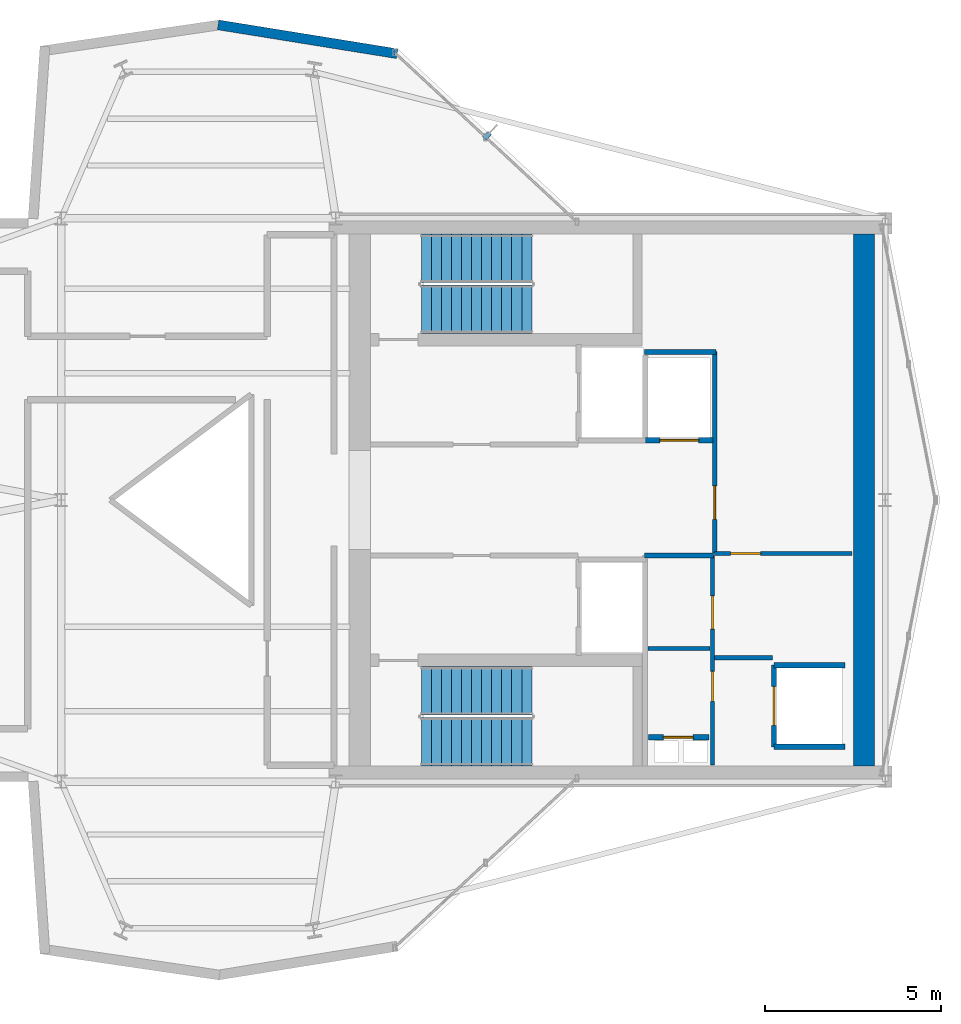
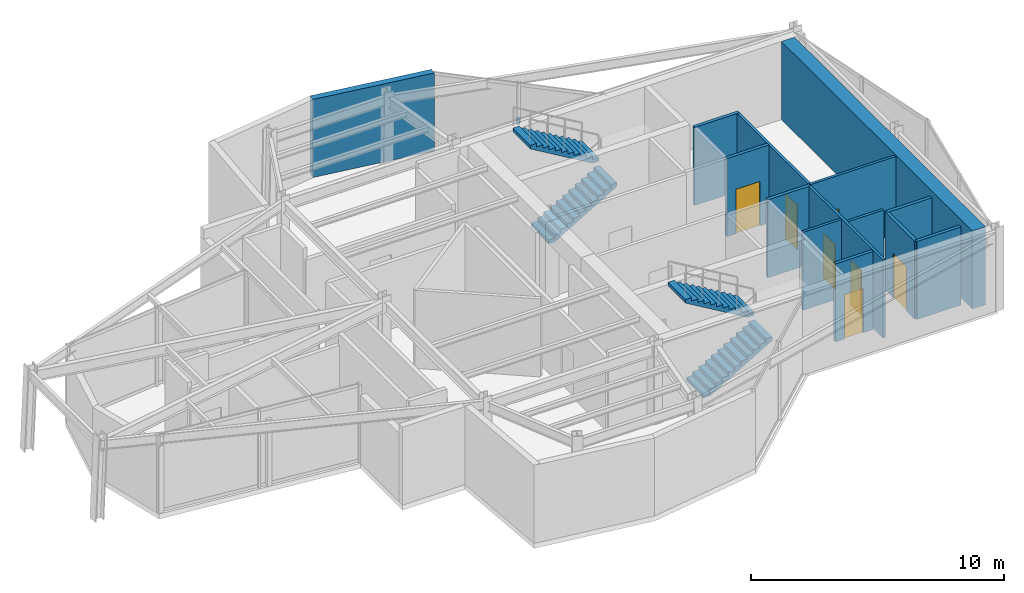
# One storey, part 10 of 11: 14 walls, 7 doors, 4 stair flights, 1 discrete accessory, 7 openings, 2 elements without a shape of their own.
"""IFC4 building model written with IfcOpenShell, lengths in metres."""

from ifc_helpers import new_model, si_unit, direction, frame, frame_2d, origin, origin_2d, place, context, subcontext, project, spatial, polyline, rectangle, outline, extrude, material, layer, layer_set, type_object, element, fill, aggregate, save


model = new_model("IFC4")

# Units and contexts
model_context = context("Model", 3, precision=1e-05, world=origin(), true_north=direction((0.0, 1.0)))
body_context = subcontext(model_context, "Body", "Model", "MODEL_VIEW")
ifc_project = project(units=[si_unit("LENGTHUNIT", "METRE"), si_unit("AREAUNIT", "SQUARE_METRE"), si_unit("VOLUMEUNIT", "CUBIC_METRE"), si_unit("PLANEANGLEUNIT", "RADIAN"), si_unit("MASSUNIT", "GRAM", prefix="KILO")], contexts=[model_context])

# Site, building, storey
site_placement = place(None, origin())
site = spatial("IfcSite", under=ifc_project, at=site_placement, CompositionType="ELEMENT")
building_placement = place(site_placement, origin())
building = spatial("IfcBuilding", under=site, at=building_placement, Name="Veymaron Broadcast Tower", CompositionType="ELEMENT")
storey_placement = place(building_placement, frame((0.0, 0.0, 323.550048828125)))
storey = spatial("IfcBuildingStorey", under=building, at=storey_placement, Name="L76", CompositionType="ELEMENT", Elevation=323.550048828125)

# Wall
ifc_material_1 = material(Name="Precast concrete C40/50", Category="concrete")
ifc_layer_1 = layer(ifc_material_1, 0.280029296875)
ifc_layer_set_1 = layer_set([ifc_layer_1], Name="Precast concrete C40/50")
wall_type_1 = type_object("IfcWallType", Name="WALL-EXT-280", PredefinedType="STANDARD", material=ifc_layer_set_1)
wall_1_placement = place(storey_placement, frame((40.737060546875, 36.674560546875, 0.0), z_axis=(0.0, 0.0, 1.0), x_axis=(-0.987271899324, 0.15904149397, 0.0)))
element("IfcWall", 1, at=wall_1_placement, inside=storey, type_object=wall_type_1, Name="L76 notched corner facade pier 6-1", PredefinedType="STANDARD", context=body_context, shape_type="SweptSolid", body=[
    extrude(rectangle(XDim=5.1455078125, YDim=0.280029296875, at=frame_2d((2.57275390625, 0.0))), origin(), (0.0, 0.0, 1.0), 3.77001953125),
])

# Wall, opening, door
ifc_material_2 = material(Name="Gypsum fireboard and steel stud framing", Category="steel")
ifc_layer_2 = layer(ifc_material_2, 0.14990234375)
ifc_layer_set_2 = layer_set([ifc_layer_2], Name="Gypsum fireboard and steel stud framing")
wall_type_2 = type_object("IfcWallType", Name="WALL-FIRE-150", PredefinedType="PARTITIONING", material=ifc_layer_set_2)
wall_2_placement = place(storey_placement, frame((47.7900390625, 25.695068359375, 0.0), z_axis=(0.0, 0.0, 1.0), x_axis=(1.0, 0.0, 0.0)))
wall_2 = element("IfcWall", 2, at=wall_2_placement, inside=storey, type_object=wall_type_2, Name="L76 partition IW-L76-SHS-SL-1", PredefinedType="PARTITIONING", context=body_context, shape_type="SweptSolid", body=[
    extrude(rectangle(XDim=1.919921875, YDim=0.14990234375, at=frame_2d((0.9599609375, 0.0))), origin(), (0.0, 0.0, 1.0), 3.77001953125),
])
opening_1_placement = place(wall_2_placement, frame((0.409912109375, 0.0, 0.0)))
opening_1 = element("IfcOpeningElement", 3, at=opening_1_placement, cuts=wall_2, Name="Opening LD", PredefinedType="OPENING", context=body_context, shape_type="SweptSolid", body=[
    extrude(rectangle(XDim=1.10009765625, YDim=2.14990234375, at=frame_2d((0.550048828125, 1.074951171875))), frame((0.0, 0.0849609375, 0.0), z_axis=(0.0, -1.0, 0.0), x_axis=(1.0, 0.0, 0.0)), (0.0, 0.0, 1.0), 0.169921875),
])
ifc_material_3 = material(Name="Brushed stainless steel AISI 304", Category="steel")
door_type_1 = type_object("IfcDoorType", Name="DOOR-LIFT-1100", OperationType="DOUBLE_DOOR_SLIDING", PredefinedType="DOOR", material=ifc_material_3)
door_1_placement = place(opening_1_placement, frame((1.10009765625, 0.0, 0.0), z_axis=(0.0, 0.0, 1.0), x_axis=(-1.0, 0.0, 0.0)))
door_1 = element("IfcDoor", 4, at=door_1_placement, inside=storey, type_object=door_type_1, Name="L76 door LD-L76-SL-1", OperationType="DOUBLE_DOOR_SLIDING", OverallHeight=2.14990234375, OverallWidth=1.10009765625, PredefinedType="DOOR", context=body_context, shape_type="SweptSolid", body=[
    extrude(rectangle(XDim=1.10009765625, YDim=2.14990234375, at=frame_2d((0.550048828125, 1.074951171875))), frame((0.0, 0.02490234375, 0.0), z_axis=(0.0, -1.0, 0.0), x_axis=(1.0, 0.0, 0.0)), (0.0, 0.0, 1.0), 0.050048828125),
])
fill(opening_1, door_1)

wall_3_placement = place(storey_placement, frame((51.445068359375, 16.989990234375, 0.0), z_axis=(0.0, 0.0, 1.0), x_axis=(0.0, 1.0, 0.0)))
wall_3 = element("IfcWall", 5, at=wall_3_placement, inside=storey, type_object=wall_type_2, Name="L76 partition IW-L76-SHW-PH1", PredefinedType="PARTITIONING", context=body_context, shape_type="SweptSolid", body=[
    extrude(rectangle(XDim=2.320068359375, YDim=0.14990234375, at=frame_2d((1.16015625, 0.0))), origin(), (0.0, 0.0, 1.0), 3.77001953125),
])
opening_2_placement = place(wall_3_placement, frame((0.610107421875, 0.0, 0.0)))
opening_2 = element("IfcOpeningElement", 6, at=opening_2_placement, cuts=wall_3, Name="Opening LD", PredefinedType="OPENING", context=body_context, shape_type="SweptSolid", body=[
    extrude(rectangle(XDim=1.10009765625, YDim=2.14990234375, at=frame_2d((0.550048828125, 1.074951171875))), frame((0.0, 0.0849609375, 0.0), z_axis=(0.0, -1.0, 0.0), x_axis=(1.0, 0.0, 0.0)), (0.0, 0.0, 1.0), 0.169921875),
])
door_2_placement = place(opening_2_placement, frame((1.10009765625, 0.0, 0.0), z_axis=(0.0, 0.0, 1.0), x_axis=(-1.0, 0.0, 0.0)))
door_2 = element("IfcDoor", 7, at=door_2_placement, inside=storey, type_object=door_type_1, Name="L76 door LD-L76-PH1", OperationType="DOUBLE_DOOR_SLIDING", OverallHeight=2.14990234375, OverallWidth=1.10009765625, PredefinedType="DOOR", context=body_context, shape_type="SweptSolid", body=[
    extrude(rectangle(XDim=1.10009765625, YDim=2.14990234375, at=frame_2d((0.550048828125, 1.074951171875))), frame((0.0, 0.02490234375, 0.0), z_axis=(0.0, -1.0, 0.0), x_axis=(1.0, 0.0, 0.0)), (0.0, 0.0, 1.0), 0.050048828125),
])
fill(opening_2, door_2)

# Walls
for number, where, z_axis, x_axis, name in (
    (8, (51.445068359375, 16.989990234375, 0.0), (0.0, 0.0, 1.0), (1.0, 0.0, 0.0), "L76 partition IW-L76-SHS-PH1"),
    (9, (51.445068359375, 19.31005859375, 0.0), (0.0, 0.0, 1.0), (1.0, 0.0, 0.0), "L76 partition IW-L76-SHN-PH1"),
):
    element("IfcWall", number, at=place(storey_placement, frame(where, z_axis=z_axis, x_axis=x_axis)), inside=storey, type_object=wall_type_2, Name=name, PredefinedType="PARTITIONING", context=body_context, shape_type="SweptSolid", body=[
        extrude(rectangle(XDim=2.014892578125, YDim=0.14990234375, at=frame_2d((1.00732421875, 0.0))), origin(), (0.0, 0.0, 1.0), 3.77001953125),
    ])

# Wall, opening, door
wall_4_placement = place(storey_placement, frame((47.8798828125, 17.260009765625, 0.0), z_axis=(0.0, 0.0, 1.0), x_axis=(1.0, 0.0, 0.0)))
wall_4 = element("IfcWall", 10, at=wall_4_placement, inside=storey, type_object=wall_type_2, Name="L76 partition IW-L76-RIS-N", PredefinedType="PARTITIONING", context=body_context, shape_type="SweptSolid", body=[
    extrude(rectangle(XDim=1.72021484375, YDim=0.14990234375, at=frame_2d((0.860107421875, 0.0))), origin(), (0.0, 0.0, 1.0), 3.77001953125),
])
opening_3_placement = place(wall_4_placement, frame((0.419921875, 0.0, 0.0)))
opening_3 = element("IfcOpeningElement", 11, at=opening_3_placement, cuts=wall_4, Name="Opening ID-RS1", PredefinedType="OPENING", context=body_context, shape_type="SweptSolid", body=[
    extrude(rectangle(XDim=0.85009765625, YDim=2.14990234375, at=frame_2d((0.425048828125, 1.074951171875))), frame((0.0, 0.0849609375, 0.0), z_axis=(0.0, -1.0, 0.0), x_axis=(1.0, 0.0, 0.0)), (0.0, 0.0, 1.0), 0.169921875),
])
ifc_material_4 = material(Name="Fire-rated powder-coated steel riser leaf", Category="steel")
door_type_2 = type_object("IfcDoorType", Name="DOOR-RIS-850", OperationType="NOTDEFINED", PredefinedType="TRAPDOOR", material=ifc_material_4)
door_3_placement = place(opening_3_placement, origin())
door_3 = element("IfcDoor", 12, at=door_3_placement, inside=storey, type_object=door_type_2, Name="L76 door DR-L76-RIS", OperationType="SINGLE_SWING_LEFT", OverallHeight=2.14990234375, OverallWidth=0.85009765625, PredefinedType="TRAPDOOR", context=body_context, shape_type="SweptSolid", body=[
    extrude(rectangle(XDim=0.85009765625, YDim=2.14990234375, at=frame_2d((0.425048828125, 1.074951171875))), frame((0.0, 0.02490234375, 0.0), z_axis=(0.0, -1.0, 0.0), x_axis=(1.0, 0.0, 0.0)), (0.0, 0.0, 1.0), 0.050048828125),
])
fill(opening_3, door_3)

# Walls
wall_5_placement = place(storey_placement, frame((47.760009765625, 22.425048828125, 0.0), z_axis=(0.0, 0.0, 1.0), x_axis=(1.0, 0.0, 0.0)))
element("IfcWall", 13, at=wall_5_placement, inside=storey, type_object=wall_type_2, Name="L76 partition IW-L76-SM-N", PredefinedType="PARTITIONING", context=body_context, shape_type="SweptSolid", body=[
    extrude(rectangle(XDim=1.9599609375, YDim=0.14990234375, at=frame_2d((0.97998046875, 0.0))), origin(), (0.0, 0.0, 1.0), 3.77001953125),
])
wall_6_placement = place(storey_placement, frame((47.760009765625, 28.199951171875, 0.0), z_axis=(0.0, 0.0, 1.0), x_axis=(1.0, 0.0, 0.0)))
element("IfcWall", 14, at=wall_6_placement, inside=storey, type_object=wall_type_2, Name="L76 partition IW-L76-F3-SW", PredefinedType="PARTITIONING", context=body_context, shape_type="SweptSolid", body=[
    extrude(rectangle(XDim=2.0400390625, YDim=0.14990234375, at=frame_2d((1.02001953125, 0.0))), origin(), (0.0, 0.0, 1.0), 3.77001953125),
])
ifc_material_5 = material(Name="Acoustic gypsum board and galvanized stud", Category="gypsum")
ifc_layer_3 = layer(ifc_material_5, 0.1201171875)
ifc_layer_set_3 = layer_set([ifc_layer_3], Name="Acoustic gypsum board and galvanized stud")
wall_type_3 = type_object("IfcWallType", Name="WALL-PART-120", PredefinedType="PARTITIONING", material=ifc_layer_set_3)
wall_7_placement = place(storey_placement, frame((47.860107421875, 19.780029296875, 0.0), z_axis=(0.0, 0.0, 1.0), x_axis=(1.0, 0.0, 0.0)))
element("IfcWall", 15, at=wall_7_placement, inside=storey, type_object=wall_type_3, Name="L76 partition IW-L76-SM-DIV", PredefinedType="PARTITIONING", context=body_context, shape_type="SweptSolid", body=[
    extrude(rectangle(XDim=1.760009765625, YDim=0.1201171875, at=frame_2d((0.8798828125, 0.0))), origin(), (0.0, 0.0, 1.0), 3.77001953125),
])

# Wall, openings, doors
wall_8_placement = place(storey_placement, frame((49.699951171875, 16.47998046875, 0.0), z_axis=(0.0, 0.0, 1.0), x_axis=(0.0, 1.0, 0.0)))
wall_8 = element("IfcWall", 16, at=wall_8_placement, inside=storey, type_object=wall_type_3, Name="L76 partition IW-L76-SM-E", PredefinedType="PARTITIONING", context=body_context, shape_type="SweptSolid", body=[
    extrude(rectangle(XDim=5.945068359375, YDim=0.1201171875, at=frame_2d((2.97265625, 0.0))), origin(), (0.0, 0.0, 1.0), 3.77001953125),
])
opening_4_placement = place(wall_8_placement, frame((1.800048828125, 0.0, 0.0)))
opening_4 = element("IfcOpeningElement", 17, at=opening_4_placement, cuts=wall_8, Name="Opening ID-WC1", PredefinedType="OPENING", context=body_context, shape_type="SweptSolid", body=[
    extrude(rectangle(XDim=0.85009765625, YDim=2.14990234375, at=frame_2d((0.425048828125, 1.074951171875))), frame((0.0, 0.070068359375, 0.0), z_axis=(0.0, -1.0, 0.0), x_axis=(1.0, 0.0, 0.0)), (0.0, 0.0, 1.0), 0.14013671875),
])
opening_5_placement = place(wall_8_placement, frame((3.85009765625, 0.0, 0.0)))
opening_5 = element("IfcOpeningElement", 18, at=opening_5_placement, cuts=wall_8, Name="Opening ID-RM1", PredefinedType="OPENING", context=body_context, shape_type="SweptSolid", body=[
    extrude(rectangle(XDim=0.949951171875, YDim=2.14990234375, at=frame_2d((0.47509765625, 1.074951171875))), frame((0.0, 0.070068359375, 0.0), z_axis=(0.0, -1.0, 0.0), x_axis=(1.0, 0.0, 0.0)), (0.0, 0.0, 1.0), 0.14013671875),
])
ifc_material_6 = material(Name="Moisture-resistant high-pressure laminate timber", Category="wood")
door_type_3 = type_object("IfcDoorType", Name="DOOR-INT-850", OperationType="NOTDEFINED", PredefinedType="DOOR", material=ifc_material_6)
door_4_placement = place(opening_4_placement, frame((0.85009765625, 0.0, 0.0), z_axis=(0.0, 0.0, 1.0), x_axis=(-1.0, 0.0, 0.0)))
door_4 = element("IfcDoor", 19, at=door_4_placement, inside=storey, type_object=door_type_3, Name="L76 door DR-L76-SWC", OperationType="SINGLE_SWING_LEFT", OverallHeight=2.14990234375, OverallWidth=0.85009765625, PredefinedType="DOOR", context=body_context, shape_type="SweptSolid", body=[
    extrude(rectangle(XDim=0.85009765625, YDim=2.14990234375, at=frame_2d((0.425048828125, 1.074951171875))), frame((0.0, 0.02490234375, 0.0), z_axis=(0.0, -1.0, 0.0), x_axis=(1.0, 0.0, 0.0)), (0.0, 0.0, 1.0), 0.050048828125),
])
fill(opening_4, door_4)
ifc_material_7 = material(Name="Acoustic solid-core European oak veneer timber", Category="wood")
door_type_4 = type_object("IfcDoorType", Name="DOOR-INT-950", OperationType="NOTDEFINED", PredefinedType="DOOR", material=ifc_material_7)
door_5_placement = place(opening_5_placement, frame((0.949951171875, 0.0, 0.0), z_axis=(0.0, 0.0, 1.0), x_axis=(-1.0, 0.0, 0.0)))
door_5 = element("IfcDoor", 20, at=door_5_placement, inside=storey, type_object=door_type_4, Name="L76 door DR-L76-AWC", OperationType="SINGLE_SWING_RIGHT", OverallHeight=2.14990234375, OverallWidth=0.949951171875, PredefinedType="DOOR", context=body_context, shape_type="SweptSolid", body=[
    extrude(rectangle(XDim=0.949951171875, YDim=2.14990234375, at=frame_2d((0.47509765625, 1.074951171875))), frame((0.0, 0.02490234375, 0.0), z_axis=(0.0, -1.0, 0.0), x_axis=(1.0, 0.0, 0.0)), (0.0, 0.0, 1.0), 0.050048828125),
])
fill(opening_5, door_5)

# Wall, opening, door
wall_9_placement = place(storey_placement, frame((49.760009765625, 22.47998046875, 0.0), z_axis=(0.0, 0.0, 1.0), x_axis=(1.0, 0.0, 0.0)))
wall_9 = element("IfcWall", 21, at=wall_9_placement, inside=storey, type_object=wall_type_3, Name="L76 partition IW-L76-F3S-N", PredefinedType="PARTITIONING", context=body_context, shape_type="SweptSolid", body=[
    extrude(rectangle(XDim=3.89990234375, YDim=0.1201171875, at=frame_2d((1.949951171875, 0.0))), origin(), (0.0, 0.0, 1.0), 3.77001953125),
])
opening_6_placement = place(wall_9_placement, frame((0.449951171875, 0.0, 0.0)))
opening_6 = element("IfcOpeningElement", 22, at=opening_6_placement, cuts=wall_9, Name="Opening ID-WC1", PredefinedType="OPENING", context=body_context, shape_type="SweptSolid", body=[
    extrude(rectangle(XDim=0.85009765625, YDim=2.14990234375, at=frame_2d((0.425048828125, 1.074951171875))), frame((0.0, 0.070068359375, 0.0), z_axis=(0.0, -1.0, 0.0), x_axis=(1.0, 0.0, 0.0)), (0.0, 0.0, 1.0), 0.14013671875),
])
door_6_placement = place(opening_6_placement, frame((0.85009765625, 0.0, 0.0), z_axis=(0.0, 0.0, 1.0), x_axis=(-1.0, 0.0, 0.0)))
door_6 = element("IfcDoor", 23, at=door_6_placement, inside=storey, type_object=door_type_3, Name="L76 door DR-L76-F3S", OperationType="SINGLE_SWING_LEFT", OverallHeight=2.14990234375, OverallWidth=0.85009765625, PredefinedType="DOOR", context=body_context, shape_type="SweptSolid", body=[
    extrude(rectangle(XDim=0.85009765625, YDim=2.14990234375, at=frame_2d((0.425048828125, 1.074951171875))), frame((0.0, 0.02490234375, 0.0), z_axis=(0.0, -1.0, 0.0), x_axis=(1.0, 0.0, 0.0)), (0.0, 0.0, 1.0), 0.050048828125),
])
fill(opening_6, door_6)

# Wall
wall_10_placement = place(storey_placement, frame((49.760009765625, 19.52001953125, 0.0), z_axis=(0.0, 0.0, 1.0), x_axis=(1.0, 0.0, 0.0)))
element("IfcWall", 24, at=wall_10_placement, inside=storey, type_object=wall_type_3, Name="L76 partition IW-L76-F3S-S", PredefinedType="PARTITIONING", context=body_context, shape_type="SweptSolid", body=[
    extrude(rectangle(XDim=1.639892578125, YDim=0.1201171875, at=frame_2d((0.81982421875, 0.0))), origin(), (0.0, 0.0, 1.0), 3.77001953125),
])

# Wall, opening, door
wall_11_placement = place(storey_placement, frame((49.760009765625, 22.5, 0.0), z_axis=(0.0, 0.0, 1.0), x_axis=(0.0, 1.0, 0.0)))
wall_11 = element("IfcWall", 25, at=wall_11_placement, inside=storey, type_object=wall_type_3, Name="L76 partition IW-L76-F3-W", PredefinedType="PARTITIONING", context=body_context, shape_type="SweptSolid", body=[
    extrude(rectangle(XDim=5.719970703125, YDim=0.1201171875, at=frame_2d((2.85986328125, 0.0))), origin(), (0.0, 0.0, 1.0), 3.77001953125),
])
opening_7_placement = place(wall_11_placement, frame((0.949951171875, 0.0, 0.0)))
opening_7 = element("IfcOpeningElement", 26, at=opening_7_placement, cuts=wall_11, Name="Opening ID-RM1", PredefinedType="OPENING", context=body_context, shape_type="SweptSolid", body=[
    extrude(rectangle(XDim=0.949951171875, YDim=2.14990234375, at=frame_2d((0.47509765625, 1.074951171875))), frame((0.0, 0.070068359375, 0.0), z_axis=(0.0, -1.0, 0.0), x_axis=(1.0, 0.0, 0.0)), (0.0, 0.0, 1.0), 0.14013671875),
])
door_7_placement = place(opening_7_placement, origin())
door_7 = element("IfcDoor", 27, at=door_7_placement, inside=storey, type_object=door_type_4, Name="L76 door DR-L76-F3A", OperationType="SINGLE_SWING_LEFT", OverallHeight=2.14990234375, OverallWidth=0.949951171875, PredefinedType="DOOR", context=body_context, shape_type="SweptSolid", body=[
    extrude(rectangle(XDim=0.949951171875, YDim=2.14990234375, at=frame_2d((0.47509765625, 1.074951171875))), frame((0.0, 0.02490234375, 0.0), z_axis=(0.0, -1.0, 0.0), x_axis=(1.0, 0.0, 0.0)), (0.0, 0.0, 1.0), 0.050048828125),
])
fill(opening_7, door_7)

# Wall
ifc_material_8 = material(Name="Concrete C50/60", Category="concrete")
ifc_layer_4 = layer(ifc_material_8, 0.60009765625)
ifc_layer_set_4 = layer_set([ifc_layer_4], Name="Concrete C50/60")
wall_type_4 = type_object("IfcWallType", Name="WALL-SHEAR-600", PredefinedType="SHEAR", material=ifc_layer_set_4)
wall_12_placement = place(storey_placement, frame((54.0, 16.449951171875, 0.0), z_axis=(0.0, 0.0, 1.0), x_axis=(0.0, 1.0, 0.0)))
element("IfcWall", 28, at=wall_12_placement, inside=storey, type_object=wall_type_4, Name="L76 Core Wall east shear", PredefinedType="SHEAR", context=body_context, shape_type="SweptSolid", body=[
    extrude(rectangle(XDim=15.10009765625, YDim=0.60009765625, at=frame_2d((7.550048828125, 0.0))), origin(), (0.0, 0.0, 1.0), 3.77001953125),
])

# Stair, stair flights
stair_type_1 = type_object("IfcStairType", Name="STAIR-CORE-1", PredefinedType="HALF_TURN_STAIR", material=ifc_material_8)
stair_1_placement = place(storey_placement, origin())
stair_1 = element("IfcStair", 29, at=stair_1_placement, inside=storey, type_object=stair_type_1, Name="L76 North protected dog-leg exit stair ST1", PredefinedType="HALF_TURN_STAIR")
ifc_material_9 = material(Name="Precast concrete C50/60", Category="concrete")
stair_flight_type = type_object("IfcStairFlightType", Name="FLT-CORE-RC", PredefinedType="STRAIGHT", material=ifc_material_9)
stair_flight_1_placement = place(storey_placement, frame((41.429931640625, 29.419921875, 0.0), z_axis=(0.0, 0.0, 1.0), x_axis=(1.0, 0.0, 0.0)))
stair_flight_1 = element("IfcStairFlight", 30, at=stair_flight_1_placement, type_object=stair_flight_type, Name="ST1 flight 1", NumberOfRisers=12, NumberOfTreads=11, PredefinedType="STRAIGHT", RiserHeight=0.16875, TreadLength=0.285, context=body_context, shape_type="SweptSolid", body=[
    extrude(outline(polyline([(0.0, 0.0), (0.0, 0.168701171875), (0.284912109375, 0.168701171875), (0.284912109375, 0.33740234375), (0.570068359375, 0.33740234375), (0.570068359375, 0.50634765625), (0.85498046875, 0.50634765625), (0.85498046875, 0.675048828125), (1.139892578125, 0.675048828125), (1.139892578125, 0.84375), (1.425048828125, 0.84375), (1.425048828125, 1.012451171875), (1.7099609375, 1.012451171875), (1.7099609375, 1.18115234375), (1.9951171875, 1.18115234375), (1.9951171875, 1.35009765625), (2.280029296875, 1.35009765625), (2.280029296875, 1.518798828125), (2.56494140625, 1.518798828125), (2.56494140625, 1.6875), (2.85009765625, 1.6875), (2.85009765625, 1.856201171875), (3.135009765625, 1.856201171875), (3.135009765625, 2.02490234375), (3.135009765625, 1.68212890625), (0.294189453125, 0.0), (0.0, 0.0)])), frame((0.0, 0.68994140625, 0.0), z_axis=(0.0, -1.0, 0.0), x_axis=(1.0, 0.0, 0.0)), (0.0, 0.0, 1.0), 1.3798828125),
])
stair_flight_2_placement = place(storey_placement, frame((44.56494140625, 30.860107421875, 2.02490234375), z_axis=(0.0, 0.0, 1.0), x_axis=(-1.0, 0.0, 0.0)))
stair_flight_2 = element("IfcStairFlight", 31, at=stair_flight_2_placement, type_object=stair_flight_type, Name="ST1 flight 2", NumberOfRisers=12, NumberOfTreads=11, PredefinedType="STRAIGHT", RiserHeight=0.16875, TreadLength=0.285, context=body_context, shape_type="SweptSolid", body=[
    extrude(outline(polyline([(0.0, 0.0), (0.0, 0.168701171875), (0.284912109375, 0.168701171875), (0.284912109375, 0.33740234375), (0.570068359375, 0.33740234375), (0.570068359375, 0.50634765625), (0.85498046875, 0.50634765625), (0.85498046875, 0.675048828125), (1.139892578125, 0.675048828125), (1.139892578125, 0.84375), (1.425048828125, 0.84375), (1.425048828125, 1.012451171875), (1.7099609375, 1.012451171875), (1.7099609375, 1.18115234375), (1.9951171875, 1.18115234375), (1.9951171875, 1.35009765625), (2.280029296875, 1.35009765625), (2.280029296875, 1.518798828125), (2.56494140625, 1.518798828125), (2.56494140625, 1.6875), (2.85009765625, 1.6875), (2.85009765625, 1.856201171875), (3.135009765625, 1.856201171875), (3.135009765625, 2.02490234375), (3.135009765625, 1.68212890625), (0.294189453125, 0.0), (0.0, 0.0)])), frame((0.0, 0.68994140625, 0.0), z_axis=(0.0, -1.0, 0.0), x_axis=(1.0, 0.0, 0.0)), (0.0, 0.0, 1.0), 1.3798828125),
])
aggregate(stair_1, [stair_flight_1, stair_flight_2])

stair_type_2 = type_object("IfcStairType", Name="STAIR-CORE-2", PredefinedType="HALF_TURN_STAIR", material=ifc_material_8)
stair_2_placement = place(storey_placement, origin())
stair_2 = element("IfcStair", 32, at=stair_2_placement, inside=storey, type_object=stair_type_2, Name="L76 South protected dog-leg exit stair ST2", PredefinedType="HALF_TURN_STAIR")
stair_flight_3_placement = place(storey_placement, frame((41.429931640625, 17.139892578125, 0.0), z_axis=(0.0, 0.0, 1.0), x_axis=(1.0, 0.0, 0.0)))
stair_flight_3 = element("IfcStairFlight", 33, at=stair_flight_3_placement, type_object=stair_flight_type, Name="ST2 flight 1", NumberOfRisers=12, NumberOfTreads=11, PredefinedType="STRAIGHT", RiserHeight=0.16875, TreadLength=0.285, context=body_context, shape_type="SweptSolid", body=[
    extrude(outline(polyline([(0.0, 0.0), (0.0, 0.168701171875), (0.284912109375, 0.168701171875), (0.284912109375, 0.33740234375), (0.570068359375, 0.33740234375), (0.570068359375, 0.50634765625), (0.85498046875, 0.50634765625), (0.85498046875, 0.675048828125), (1.139892578125, 0.675048828125), (1.139892578125, 0.84375), (1.425048828125, 0.84375), (1.425048828125, 1.012451171875), (1.7099609375, 1.012451171875), (1.7099609375, 1.18115234375), (1.9951171875, 1.18115234375), (1.9951171875, 1.35009765625), (2.280029296875, 1.35009765625), (2.280029296875, 1.518798828125), (2.56494140625, 1.518798828125), (2.56494140625, 1.6875), (2.85009765625, 1.6875), (2.85009765625, 1.856201171875), (3.135009765625, 1.856201171875), (3.135009765625, 2.02490234375), (3.135009765625, 1.68212890625), (0.294189453125, 0.0), (0.0, 0.0)])), frame((0.0, 0.68994140625, 0.0), z_axis=(0.0, -1.0, 0.0), x_axis=(1.0, 0.0, 0.0)), (0.0, 0.0, 1.0), 1.3798828125),
])
stair_flight_4_placement = place(storey_placement, frame((44.56494140625, 18.580078125, 2.02490234375), z_axis=(0.0, 0.0, 1.0), x_axis=(-1.0, 0.0, 0.0)))
stair_flight_4 = element("IfcStairFlight", 34, at=stair_flight_4_placement, type_object=stair_flight_type, Name="ST2 flight 2", NumberOfRisers=12, NumberOfTreads=11, PredefinedType="STRAIGHT", RiserHeight=0.16875, TreadLength=0.285, context=body_context, shape_type="SweptSolid", body=[
    extrude(outline(polyline([(0.0, 0.0), (0.0, 0.168701171875), (0.284912109375, 0.168701171875), (0.284912109375, 0.33740234375), (0.570068359375, 0.33740234375), (0.570068359375, 0.50634765625), (0.85498046875, 0.50634765625), (0.85498046875, 0.675048828125), (1.139892578125, 0.675048828125), (1.139892578125, 0.84375), (1.425048828125, 0.84375), (1.425048828125, 1.012451171875), (1.7099609375, 1.012451171875), (1.7099609375, 1.18115234375), (1.9951171875, 1.18115234375), (1.9951171875, 1.35009765625), (2.280029296875, 1.35009765625), (2.280029296875, 1.518798828125), (2.56494140625, 1.518798828125), (2.56494140625, 1.6875), (2.85009765625, 1.6875), (2.85009765625, 1.856201171875), (3.135009765625, 1.856201171875), (3.135009765625, 2.02490234375), (3.135009765625, 1.68212890625), (0.294189453125, 0.0), (0.0, 0.0)])), frame((0.0, 0.68994140625, 0.0), z_axis=(0.0, -1.0, 0.0), x_axis=(1.0, 0.0, 0.0)), (0.0, 0.0, 1.0), 1.3798828125),
])
aggregate(stair_2, [stair_flight_3, stair_flight_4])

# Discrete accessory
ifc_material_10 = material(Name="Austenitic stainless steel AISI 316L", Category="steel")
ifc_layer_5 = layer(ifc_material_10, 0.1201171875)
ifc_layer_set_5 = layer_set([ifc_layer_5], Name="Austenitic stainless steel AISI 316L")
discrete_accessory_type = type_object("IfcDiscreteAccessoryType", Name="ACC-BRKT-SS1", PredefinedType="BRACKET", material=ifc_layer_set_5)
discrete_accessory_placement = place(storey_placement, frame((43.294677734375, 34.347900390625, 1.77490234375), z_axis=(0.0, 0.0, 1.0), x_axis=(0.680695297973, 0.732566659982, 0.0)))
element("IfcDiscreteAccessory", 35, at=discrete_accessory_placement, inside=storey, type_object=discrete_accessory_type, Name="CW-L76-E5-1 fin bracket 1", PredefinedType="BRACKET", context=body_context, shape_type="SweptSolid", body=[
    extrude(rectangle(XDim=0.219970703125, YDim=0.139892578125, at=origin_2d()), origin(), (0.0, 0.0, 1.0), 0.219970703125),
])

save(model, "model.ifc")
